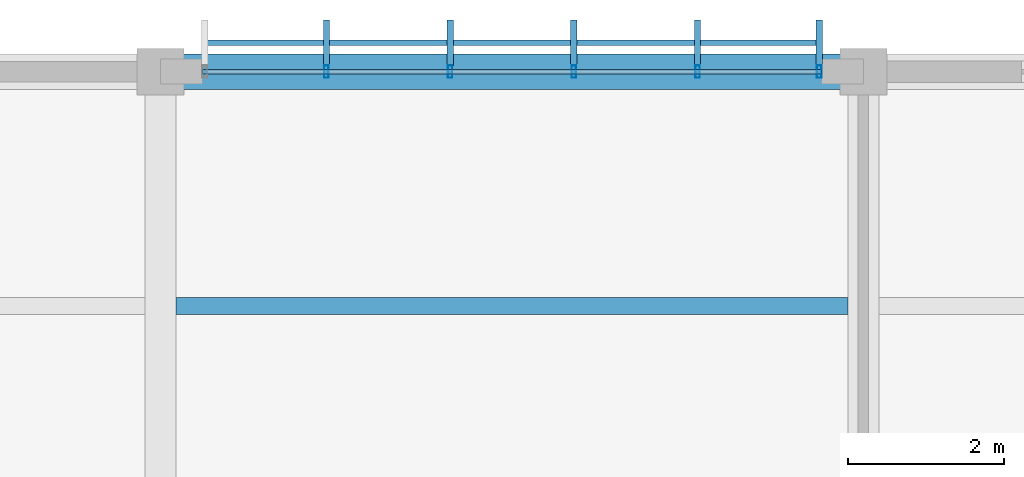
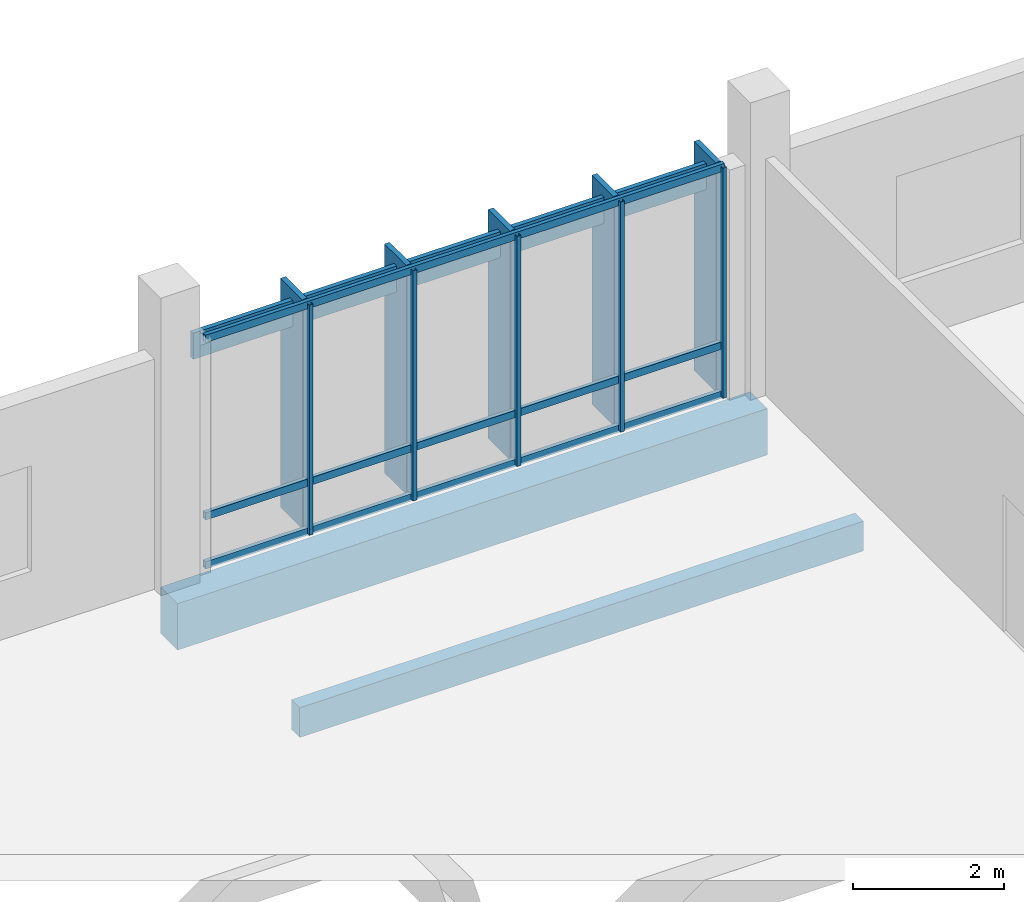
# One storey, part 123 of 177: 14 members, 2 beams, 1 element without a shape of its own.
"""IFC4 building model written with IfcOpenShell, lengths in metres."""

from ifc_helpers import new_model, si_unit, direction, frame, origin, origin_2d, place, context, subcontext, project, spatial, rectangle, hollow_rectangle, extrude, material, material_profile, profile_set, type_object, element, aggregate, save


model = new_model("IFC4")

# Units and contexts
model_context = context("Model", 3, precision=1e-05, world=origin(), true_north=direction((0.0, 1.0)))
body_context = subcontext(model_context, "Body", "Model", "MODEL_VIEW")
ifc_project = project(units=[si_unit("LENGTHUNIT", "METRE"), si_unit("AREAUNIT", "SQUARE_METRE"), si_unit("VOLUMEUNIT", "CUBIC_METRE"), si_unit("PLANEANGLEUNIT", "RADIAN"), si_unit("MASSUNIT", "GRAM", prefix="KILO")], contexts=[model_context])

# Site, building, storey
site_placement = place(None, origin())
site = spatial("IfcSite", under=ifc_project, at=site_placement, CompositionType="ELEMENT")
building_placement = place(site_placement, origin())
building = spatial("IfcBuilding", under=site, at=building_placement, Name="Chiffa Square Polytechnic", CompositionType="ELEMENT")
storey_placement = place(building_placement, frame((0.0, 0.0, 4.800048828125)))
storey = spatial("IfcBuildingStorey", under=building, at=storey_placement, Name="L01", CompositionType="ELEMENT", Elevation=4.800048828125)

# Beam
ifc_material_1 = material(Name="Concrete C35/45", Category="concrete")
ifc_material_profile_1 = material_profile(ifc_material_1, rectangle(XDim=0.449951171875, YDim=0.75, at=origin_2d()), Name="RC 450x750")
ifc_profile_set_1 = profile_set([ifc_material_profile_1], Name="Concrete C35/45")
beam_type_1 = type_object("IfcBeamType", Name="BM-RC-450X750", PredefinedType="BEAM", material=ifc_profile_set_1)
beam_1_placement = place(storey_placement, frame((66.60009765625, 130.800048828125, -0.655029296875), z_axis=(1.0, 0.0, 0.0), x_axis=(0.0, 1.0, 0.0)))
element("IfcBeam", 1, at=beam_1_placement, inside=storey, type_object=beam_type_1, Name="Primary floor girder BM-V5-L01-X-0666-1308", PredefinedType="BEAM", context=body_context, shape_type="SweptSolid", body=[
    extrude(rectangle(XDim=0.449951171875, YDim=0.75, at=origin_2d()), origin(), (0.0, 0.0, 1.0), 9.0),
])

# Curtain wall, members
ifc_material_2 = material(Name="Aluminium EN AW-6060 T66 and glulam shading", Category="wood")
curtain_wall_type = type_object("IfcCurtainWallType", Name="CW-VERT-540X440", PredefinedType="USERDEFINED", material=ifc_material_2)
curtain_wall_placement = place(storey_placement, origin())
curtain_wall = element("IfcCurtainWall", 2, at=curtain_wall_placement, inside=storey, type_object=curtain_wall_type, Name="Curtain wall CW-V5-L01-207", ObjectType="CURTAIN WALL", PredefinedType="USERDEFINED")
ifc_material_3 = material(Name="Aluminium EN AW-6060 T66", Category="aluminium")
ifc_material_profile_2 = material_profile(ifc_material_3, hollow_rectangle(XDim=0.06005859375, YDim=0.159912109375, WallThickness=0.00390625, at=origin_2d()), Name="ALU 60x160x4")
ifc_profile_set_2 = profile_set([ifc_material_profile_2], Name="Aluminium EN AW-6060 T66")
member_type_1 = type_object("IfcMemberType", Name="CWM-ALU-65X150", PredefinedType="MULLION", material=ifc_profile_set_2)
member_1_placement = place(storey_placement, frame((75.034912109375, 130.800048828125, 0.0), z_axis=(0.0, 0.0, 1.0), x_axis=(1.0, 0.0, 0.0)))
member_1 = element("IfcMember", 3, at=member_1_placement, type_object=member_type_1, Name="Curtain wall mullion CW-V5-L01-207-M00", PredefinedType="MULLION", context=body_context, shape_type="SweptSolid", body=[
    extrude(hollow_rectangle(XDim=0.06005859375, YDim=0.159912109375, WallThickness=0.00390625, at=origin_2d()), origin(), (0.0, 0.0, 1.0), 3.71484375),
])
member_2_placement = place(storey_placement, frame((73.47607421875, 130.800048828125, 0.0), z_axis=(0.0, 0.0, 1.0), x_axis=(1.0, 0.0, 0.0)))
member_2 = element("IfcMember", 4, at=member_2_placement, type_object=member_type_1, Name="Curtain wall mullion CW-V5-L01-207-M01", PredefinedType="MULLION", context=body_context, shape_type="SweptSolid", body=[
    extrude(hollow_rectangle(XDim=0.06005859375, YDim=0.159912109375, WallThickness=0.00390625, at=origin_2d()), origin(), (0.0, 0.0, 1.0), 3.71484375),
])
member_3_placement = place(storey_placement, frame((71.89208984375, 130.800048828125, 0.0), z_axis=(0.0, 0.0, 1.0), x_axis=(1.0, 0.0, 0.0)))
member_3 = element("IfcMember", 5, at=member_3_placement, type_object=member_type_1, Name="Curtain wall mullion CW-V5-L01-207-M02", PredefinedType="MULLION", context=body_context, shape_type="SweptSolid", body=[
    extrude(hollow_rectangle(XDim=0.06005859375, YDim=0.159912109375, WallThickness=0.00390625, at=origin_2d()), origin(), (0.0, 0.0, 1.0), 3.71484375),
])
member_4_placement = place(storey_placement, frame((70.30810546875, 130.800048828125, 0.0), z_axis=(0.0, 0.0, 1.0), x_axis=(1.0, 0.0, 0.0)))
member_4 = element("IfcMember", 6, at=member_4_placement, type_object=member_type_1, Name="Curtain wall mullion CW-V5-L01-207-M03", PredefinedType="MULLION", context=body_context, shape_type="SweptSolid", body=[
    extrude(hollow_rectangle(XDim=0.06005859375, YDim=0.159912109375, WallThickness=0.00390625, at=origin_2d()), origin(), (0.0, 0.0, 1.0), 3.71484375),
])
member_5_placement = place(storey_placement, frame((68.72412109375, 130.800048828125, 0.0), z_axis=(0.0, 0.0, 1.0), x_axis=(1.0, 0.0, 0.0)))
member_5 = element("IfcMember", 7, at=member_5_placement, type_object=member_type_1, Name="Curtain wall mullion CW-V5-L01-207-M04", PredefinedType="MULLION", context=body_context, shape_type="SweptSolid", body=[
    extrude(hollow_rectangle(XDim=0.06005859375, YDim=0.159912109375, WallThickness=0.00390625, at=origin_2d()), origin(), (0.0, 0.0, 1.0), 3.71484375),
])
ifc_material_4 = material(Name="Glulam GL28h", Category="wood")
ifc_material_profile_3 = material_profile(ifc_material_4, rectangle(XDim=0.080078125, YDim=0.580078125, at=origin_2d()), Name="GL28h 80x580")
ifc_profile_set_3 = profile_set([ifc_material_profile_3], Name="Glulam GL28h")
member_type_2 = type_object("IfcMemberType", Name="CWM-GL-80X580", PredefinedType="MULLION", material=ifc_profile_set_3)
member_6_placement = place(storey_placement, frame((75.034912109375, 131.172119140625, 0.010009765625), z_axis=(0.0, 0.0, 1.0), x_axis=(-1.0, 0.0, 0.0)))
member_6 = element("IfcMember", 8, at=member_6_placement, type_object=member_type_2, Name="Exterior glulam solar fin CW-V5-L01-207-FN00", PredefinedType="MULLION", context=body_context, shape_type="SweptSolid", body=[
    extrude(rectangle(XDim=0.080078125, YDim=0.580078125, at=origin_2d()), origin(), (0.0, 0.0, 1.0), 3.69482421875),
])
member_7_placement = place(storey_placement, frame((73.47607421875, 131.172119140625, 0.010009765625), z_axis=(0.0, 0.0, 1.0), x_axis=(-1.0, 0.0, 0.0)))
member_7 = element("IfcMember", 9, at=member_7_placement, type_object=member_type_2, Name="Exterior glulam solar fin CW-V5-L01-207-FN01", PredefinedType="MULLION", context=body_context, shape_type="SweptSolid", body=[
    extrude(rectangle(XDim=0.080078125, YDim=0.580078125, at=origin_2d()), origin(), (0.0, 0.0, 1.0), 3.69482421875),
])
member_8_placement = place(storey_placement, frame((71.89208984375, 131.172119140625, 0.010009765625), z_axis=(0.0, 0.0, 1.0), x_axis=(-1.0, 0.0, 0.0)))
member_8 = element("IfcMember", 10, at=member_8_placement, type_object=member_type_2, Name="Exterior glulam solar fin CW-V5-L01-207-FN02", PredefinedType="MULLION", context=body_context, shape_type="SweptSolid", body=[
    extrude(rectangle(XDim=0.080078125, YDim=0.580078125, at=origin_2d()), origin(), (0.0, 0.0, 1.0), 3.69482421875),
])
member_9_placement = place(storey_placement, frame((70.30810546875, 131.172119140625, 0.010009765625), z_axis=(0.0, 0.0, 1.0), x_axis=(-1.0, 0.0, 0.0)))
member_9 = element("IfcMember", 11, at=member_9_placement, type_object=member_type_2, Name="Exterior glulam solar fin CW-V5-L01-207-FN03", PredefinedType="MULLION", context=body_context, shape_type="SweptSolid", body=[
    extrude(rectangle(XDim=0.080078125, YDim=0.580078125, at=origin_2d()), origin(), (0.0, 0.0, 1.0), 3.69482421875),
])
member_10_placement = place(storey_placement, frame((68.72412109375, 131.172119140625, 0.010009765625), z_axis=(0.0, 0.0, 1.0), x_axis=(-1.0, 0.0, 0.0)))
member_10 = element("IfcMember", 12, at=member_10_placement, type_object=member_type_2, Name="Exterior glulam solar fin CW-V5-L01-207-FN04", PredefinedType="MULLION", context=body_context, shape_type="SweptSolid", body=[
    extrude(rectangle(XDim=0.080078125, YDim=0.580078125, at=origin_2d()), origin(), (0.0, 0.0, 1.0), 3.69482421875),
])
ifc_material_profile_4 = material_profile(ifc_material_3, hollow_rectangle(XDim=0.06005859375, YDim=0.1201171875, WallThickness=0.00390625, at=origin_2d()), Name="ALU 60x120x4")
ifc_profile_set_4 = profile_set([ifc_material_profile_4], Name="Aluminium EN AW-6060 T66")
member_type_3 = type_object("IfcMemberType", Name="CWT-ALU-65X120", PredefinedType="USERDEFINED", material=ifc_profile_set_4)
member_11_placement = place(storey_placement, frame((75.06201171875, 130.800048828125, 0.030029296875), z_axis=(-1.0, 0.0, 0.0), x_axis=(0.0, -1.0, 0.0)))
member_11 = element("IfcMember", 13, at=member_11_placement, type_object=member_type_3, Name="Curtain wall transom CW-V5-L01-207-T01", ObjectType="TRANSOM", PredefinedType="USERDEFINED", context=body_context, shape_type="SweptSolid", body=[
    extrude(hollow_rectangle(XDim=0.06005859375, YDim=0.1201171875, WallThickness=0.00390625, at=origin_2d()), origin(), (0.0, 0.0, 1.0), 7.924072265625),
])
member_12_placement = place(storey_placement, frame((75.06201171875, 130.800048828125, 0.820068359375), z_axis=(-1.0, 0.0, 0.0), x_axis=(0.0, -1.0, 0.0)))
member_12 = element("IfcMember", 14, at=member_12_placement, type_object=member_type_3, Name="Curtain wall transom CW-V5-L01-207-T02", ObjectType="TRANSOM", PredefinedType="USERDEFINED", context=body_context, shape_type="SweptSolid", body=[
    extrude(hollow_rectangle(XDim=0.06005859375, YDim=0.1201171875, WallThickness=0.00390625, at=origin_2d()), origin(), (0.0, 0.0, 1.0), 7.924072265625),
])
member_13_placement = place(storey_placement, frame((75.06201171875, 130.800048828125, 3.68505859375), z_axis=(-1.0, 0.0, 0.0), x_axis=(0.0, -1.0, 0.0)))
member_13 = element("IfcMember", 15, at=member_13_placement, type_object=member_type_3, Name="Curtain wall transom CW-V5-L01-207-T03", ObjectType="TRANSOM", PredefinedType="USERDEFINED", context=body_context, shape_type="SweptSolid", body=[
    extrude(hollow_rectangle(XDim=0.06005859375, YDim=0.1201171875, WallThickness=0.00390625, at=origin_2d()), origin(), (0.0, 0.0, 1.0), 7.924072265625),
])
ifc_material_profile_5 = material_profile(ifc_material_4, rectangle(XDim=0.070068359375, YDim=0.419921875, at=origin_2d()), Name="GL28h 70x420")
ifc_profile_set_5 = profile_set([ifc_material_profile_5], Name="Glulam GL28h")
member_type_4 = type_object("IfcMemberType", Name="CWT-GL-70X420", PredefinedType="USERDEFINED", material=ifc_profile_set_5)
member_14_placement = place(storey_placement, frame((75.034912109375, 131.172119140625, 3.3349609375), z_axis=(-1.0, 0.0, 0.0), x_axis=(0.0, -1.0, 0.0)))
member_14 = element("IfcMember", 16, at=member_14_placement, type_object=member_type_4, Name="Exterior glulam brise-soleil CW-V5-L01-207-BS01", ObjectType="TRANSOM", PredefinedType="USERDEFINED", context=body_context, shape_type="SweptSolid", body=[
    extrude(rectangle(XDim=0.070068359375, YDim=0.419921875, at=origin_2d()), origin(), (0.0, 0.0, 1.0), 7.869873046875),
])
aggregate(curtain_wall, [member_1, member_6, member_2, member_7, member_3, member_8, member_4, member_9, member_5, member_10, member_11, member_12, member_13, member_14])

# Beam
ifc_material_profile_6 = material_profile(ifc_material_4, rectangle(XDim=0.219970703125, YDim=0.47998046875, at=origin_2d()), Name="GL28h 220x480")
ifc_profile_set_6 = profile_set([ifc_material_profile_6], Name="Glulam GL28h")
beam_type_2 = type_object("IfcBeamType", Name="JST-GL-220X480", PredefinedType="JOIST", material=ifc_profile_set_6)
beam_2_placement = place(storey_placement, frame((66.798095703125, 127.800048828125, -0.52001953125), z_axis=(1.0, 0.0, 0.0), x_axis=(0.0, 1.0, 0.0)))
element("IfcBeam", 17, at=beam_2_placement, inside=storey, type_object=beam_type_2, Name="Secondary floor joist JST-V5-L01-0666-1278", PredefinedType="JOIST", context=body_context, shape_type="SweptSolid", body=[
    extrude(rectangle(XDim=0.219970703125, YDim=0.47998046875, at=origin_2d()), origin(), (0.0, 0.0, 1.0), 8.60400390625),
])

save(model, "model.ifc")
